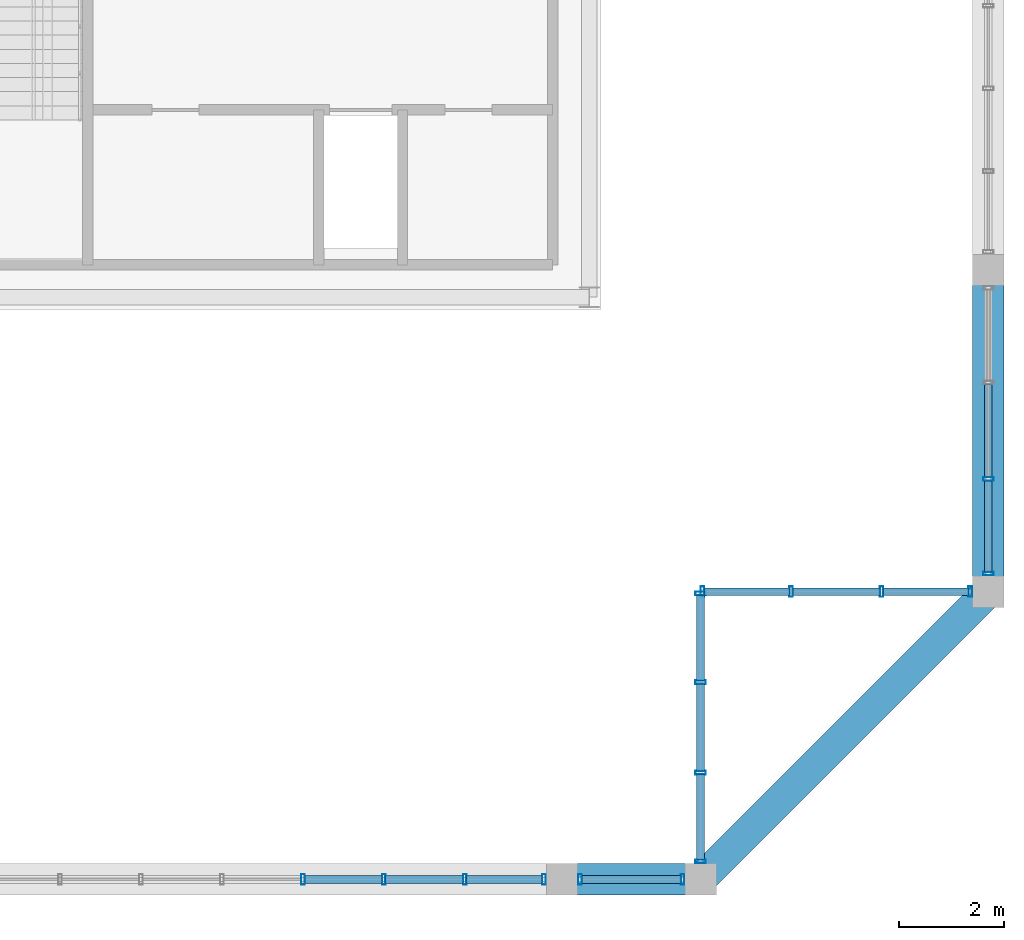
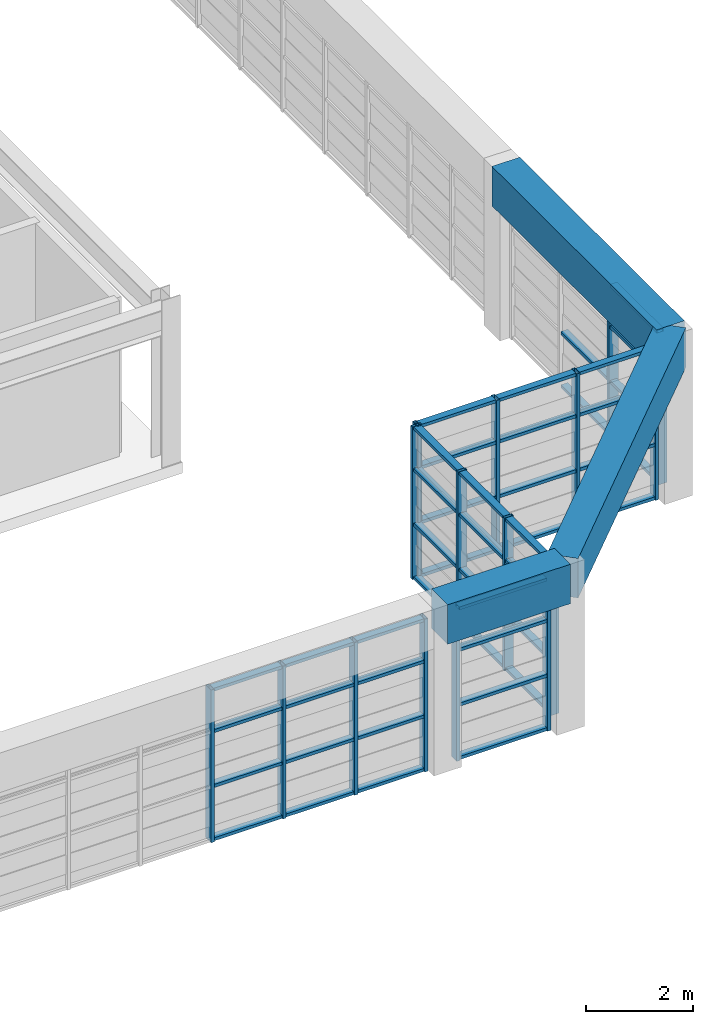
# One storey, part 6 of 27: 62 members, 3 beams, 5 elements without a shape of their own.
"""IFC4 building model written with IfcOpenShell, lengths in metres."""

from ifc_helpers import new_model, si_unit, direction, frame, origin, origin_2d, place, context, subcontext, project, spatial, rectangle, hollow_rectangle, extrude, source, transform, mapped, material, layer, layer_set, material_profile, profile_set, type_object, element, aggregate, save


model = new_model("IFC4")

# Units and contexts
model_context = context("Model", 3, precision=1e-05, world=origin(), true_north=direction((0.0, 1.0)))
body_context = subcontext(model_context, "Body", "Model", "MODEL_VIEW")
ifc_project = project(units=[si_unit("LENGTHUNIT", "METRE"), si_unit("AREAUNIT", "SQUARE_METRE"), si_unit("VOLUMEUNIT", "CUBIC_METRE"), si_unit("PLANEANGLEUNIT", "RADIAN"), si_unit("MASSUNIT", "GRAM", prefix="KILO")], contexts=[model_context])

# Site, building, storey
site_placement = place(None, origin())
site = spatial("IfcSite", under=ifc_project, at=site_placement, CompositionType="ELEMENT")
building_placement = place(site_placement, origin())
building = spatial("IfcBuilding", under=site, at=building_placement, Name="Saelheon Loggia Tower", CompositionType="ELEMENT")
storey_placement = place(building_placement, frame((0.0, 0.0, 256.0)))
storey = spatial("IfcBuildingStorey", under=building, at=storey_placement, Name="CR2", CompositionType="ELEMENT", Elevation=256.0)

# Beams
ifc_material_1 = material(Name="Precast Concrete C45/55", Category="concrete")
ifc_material_profile_1 = material_profile(ifc_material_1, rectangle(XDim=0.60009765625, YDim=0.89990234375, at=origin_2d()), Name="RC-600x900")
ifc_profile_set_1 = profile_set([ifc_material_profile_1], Name="Precast Concrete C45/55")
beam_type = type_object("IfcBeamType", Name="CrownFrame_Ring_RC600x900", PredefinedType="BEAM", material=ifc_profile_set_1)
shared_shape_1 = source(origin(), body_context, "Body", "SweptSolid", [
    extrude(rectangle(XDim=0.60009765625, YDim=0.89990234375, at=origin_2d()), origin(), (0.0, 0.0, 1.0), 2.64990234375),
])
beam_1_placement = place(storey_placement, frame((44.5, 6.35009765625, 3.35009765625), z_axis=(1.0, 0.0, 0.0), x_axis=(0.0, 1.0, 0.0)))
element("IfcBeam", 1, at=beam_1_placement, inside=storey, type_object=beam_type, Name="CR2 CROWN FRAME Ring Beam 03", PredefinedType="BEAM", context=body_context, shape_type="MappedRepresentation", body=[
    mapped(shared_shape_1, transform((0.0, 0.0, 0.0), scale=1.0)),
])
shared_shape_2 = source(origin(), body_context, "Body", "SweptSolid", [
    extrude(rectangle(XDim=0.60009765625, YDim=0.89990234375, at=origin_2d()), origin(), (0.0, 0.0, 1.0), 7.778076171875),
])
beam_2_placement = place(storey_placement, frame((47.14990234375, 6.35009765625, 3.35009765625), z_axis=(0.707106781187, 0.707106781187, 0.0), x_axis=(-0.707106781187, 0.707106781187, 0.0)))
element("IfcBeam", 2, at=beam_2_placement, inside=storey, type_object=beam_type, Name="CR2 CROWN FRAME Ring Beam 04", PredefinedType="BEAM", context=body_context, shape_type="MappedRepresentation", body=[
    mapped(shared_shape_2, transform((0.0, 0.0, 0.0), scale=1.0)),
])
shared_shape_3 = source(origin(), body_context, "Body", "SweptSolid", [
    extrude(rectangle(XDim=0.60009765625, YDim=0.89990234375, at=origin_2d()), origin(), (0.0, 0.0, 1.0), 6.14990234375),
])
beam_3_placement = place(storey_placement, frame((52.64990234375, 11.85009765625, 3.35009765625), z_axis=(0.0, 1.0, 0.0), x_axis=(-1.0, 0.0, 0.0)))
element("IfcBeam", 3, at=beam_3_placement, inside=storey, type_object=beam_type, Name="CR2 CROWN FRAME Ring Beam 05", PredefinedType="BEAM", context=body_context, shape_type="MappedRepresentation", body=[
    mapped(shared_shape_3, transform((0.0, 0.0, 0.0), scale=1.0)),
])

# Curtain wall, members
ifc_material_2 = material(Name="Bronze-Anodised Aluminium and Fritted Ceramic Screen", Category="aluminium")
ifc_layer = layer(ifc_material_2, 0.219970703125)
ifc_layer_set = layer_set([ifc_layer], Name="Bronze-Anodised Aluminium and Fritted Ceramic Screen")
curtain_wall_type = type_object("IfcCurtainWallType", Name="CW_CrownScreen", PredefinedType="NOTDEFINED", material=ifc_layer_set)
curtain_wall_1_placement = place(storey_placement, origin())
curtain_wall_1 = element("IfcCurtainWall", 4, at=curtain_wall_1_placement, inside=storey, type_object=curtain_wall_type, Name="CR2 Crown Screen Curtain Wall 0-2", PredefinedType="NOTDEFINED")
ifc_material_3 = material(Name="Bronze-Anodised Aluminium 6063-T6", Category="aluminium")
ifc_material_profile_2 = material_profile(ifc_material_3, hollow_rectangle(XDim=0.070068359375, YDim=0.199951171875, WallThickness=0.0048828125, at=origin_2d()), Name="RHS-200x70x5")
ifc_profile_set_2 = profile_set([ifc_material_profile_2], Name="Bronze-Anodised Aluminium 6063-T6")
member_type_1 = type_object("IfcMemberType", Name="CW_CrownScreen_Mullion", PredefinedType="MULLION", material=ifc_profile_set_2)
shared_shape_4 = source(origin(), body_context, "Body", "SweptSolid", [
    extrude(hollow_rectangle(XDim=0.070068359375, YDim=0.199951171875, WallThickness=0.0048828125, at=origin_2d()), origin(), (0.0, 0.0, 1.0), 3.47998046875),
])
member_1_placement = place(storey_placement, frame((39.547607421875, 6.35009765625, 0.0), z_axis=(0.0, 0.0, 1.0), x_axis=(1.0, 0.0, 0.0)))
member_1 = element("IfcMember", 5, at=member_1_placement, type_object=member_type_1, Name="CW6 mullion 6", PredefinedType="MULLION", context=body_context, shape_type="MappedRepresentation", body=[
    mapped(shared_shape_4, transform((0.0, 0.0, 0.0), scale=1.0)),
])
member_2_placement = place(storey_placement, frame((41.094970703125, 6.35009765625, 0.0), z_axis=(0.0, 0.0, 1.0), x_axis=(1.0, 0.0, 0.0)))
member_2 = element("IfcMember", 6, at=member_2_placement, type_object=member_type_1, Name="CW6 mullion 7", PredefinedType="MULLION", context=body_context, shape_type="MappedRepresentation", body=[
    mapped(shared_shape_4, transform((0.0, 0.0, 0.0), scale=1.0)),
])
member_3_placement = place(storey_placement, frame((42.642578125, 6.35009765625, 0.0), z_axis=(0.0, 0.0, 1.0), x_axis=(1.0, 0.0, 0.0)))
member_3 = element("IfcMember", 7, at=member_3_placement, type_object=member_type_1, Name="CW6 mullion 8", PredefinedType="MULLION", context=body_context, shape_type="MappedRepresentation", body=[
    mapped(shared_shape_4, transform((0.0, 0.0, 0.0), scale=1.0)),
])
member_4_placement = place(storey_placement, frame((44.155029296875, 6.35009765625, 0.0), z_axis=(0.0, 0.0, 1.0), x_axis=(1.0, 0.0, 0.0)))
member_4 = element("IfcMember", 8, at=member_4_placement, type_object=member_type_1, Name="CW6 mullion 9", PredefinedType="MULLION", context=body_context, shape_type="MappedRepresentation", body=[
    mapped(shared_shape_4, transform((0.0, 0.0, 0.0), scale=1.0)),
])

curtain_wall_2_placement = place(storey_placement, origin())
curtain_wall_2 = element("IfcCurtainWall", 9, at=curtain_wall_2_placement, inside=storey, type_object=curtain_wall_type, Name="CR2 Crown Screen Curtain Wall 0-3", PredefinedType="NOTDEFINED")
member_5_placement = place(storey_placement, frame((44.844970703125, 6.35009765625, 0.0), z_axis=(0.0, 0.0, 1.0), x_axis=(1.0, 0.0, 0.0)))
member_5 = element("IfcMember", 10, at=member_5_placement, type_object=member_type_1, Name="CW6 mullion 1", PredefinedType="MULLION", context=body_context, shape_type="MappedRepresentation", body=[
    mapped(shared_shape_4, transform((0.0, 0.0, 0.0), scale=1.0)),
])
member_6_placement = place(storey_placement, frame((46.804931640625, 6.35009765625, 0.0), z_axis=(0.0, 0.0, 1.0), x_axis=(1.0, 0.0, 0.0)))
member_6 = element("IfcMember", 11, at=member_6_placement, type_object=member_type_1, Name="CW6 mullion 2", PredefinedType="MULLION", context=body_context, shape_type="MappedRepresentation", body=[
    mapped(shared_shape_4, transform((0.0, 0.0, 0.0), scale=1.0)),
])

curtain_wall_3_placement = place(storey_placement, origin())
curtain_wall_3 = element("IfcCurtainWall", 12, at=curtain_wall_3_placement, inside=storey, type_object=curtain_wall_type, Name="CR2 Crown Screen Curtain Wall 1-1", PredefinedType="NOTDEFINED")
member_7_placement = place(storey_placement, frame((47.14990234375, 6.695068359375, 0.0), z_axis=(0.0, 0.0, 1.0), x_axis=(0.0, 1.0, 0.0)))
member_7 = element("IfcMember", 13, at=member_7_placement, type_object=member_type_1, Name="CW6 mullion 1", PredefinedType="MULLION", context=body_context, shape_type="MappedRepresentation", body=[
    mapped(shared_shape_4, transform((0.0, 0.0, 0.0), scale=1.0)),
])
member_8_placement = place(storey_placement, frame((47.14990234375, 8.389892578125, 0.0), z_axis=(0.0, 0.0, 1.0), x_axis=(0.0, 1.0, 0.0)))
member_8 = element("IfcMember", 14, at=member_8_placement, type_object=member_type_1, Name="CW6 mullion 2", PredefinedType="MULLION", context=body_context, shape_type="MappedRepresentation", body=[
    mapped(shared_shape_4, transform((0.0, 0.0, 0.0), scale=1.0)),
])
member_9_placement = place(storey_placement, frame((47.14990234375, 10.1201171875, 0.0), z_axis=(0.0, 0.0, 1.0), x_axis=(0.0, 1.0, 0.0)))
member_9 = element("IfcMember", 15, at=member_9_placement, type_object=member_type_1, Name="CW6 mullion 3", PredefinedType="MULLION", context=body_context, shape_type="MappedRepresentation", body=[
    mapped(shared_shape_4, transform((0.0, 0.0, 0.0), scale=1.0)),
])
member_10_placement = place(storey_placement, frame((47.14990234375, 11.81494140625, 0.0), z_axis=(0.0, 0.0, 1.0), x_axis=(0.0, 1.0, 0.0)))
member_10 = element("IfcMember", 16, at=member_10_placement, type_object=member_type_1, Name="CW6 mullion 4", PredefinedType="MULLION", context=body_context, shape_type="MappedRepresentation", body=[
    mapped(shared_shape_4, transform((0.0, 0.0, 0.0), scale=1.0)),
])

curtain_wall_4_placement = place(storey_placement, origin())
curtain_wall_4 = element("IfcCurtainWall", 17, at=curtain_wall_4_placement, inside=storey, type_object=curtain_wall_type, Name="CR2 Crown Screen Curtain Wall 2-1", PredefinedType="NOTDEFINED")
member_11_placement = place(storey_placement, frame((47.18505859375, 11.85009765625, 0.0), z_axis=(0.0, 0.0, 1.0), x_axis=(1.0, 0.0, 0.0)))
member_11 = element("IfcMember", 18, at=member_11_placement, type_object=member_type_1, Name="CW6 mullion 1", PredefinedType="MULLION", context=body_context, shape_type="MappedRepresentation", body=[
    mapped(shared_shape_4, transform((0.0, 0.0, 0.0), scale=1.0)),
])
member_12_placement = place(storey_placement, frame((48.8798828125, 11.85009765625, 0.0), z_axis=(0.0, 0.0, 1.0), x_axis=(1.0, 0.0, 0.0)))
member_12 = element("IfcMember", 19, at=member_12_placement, type_object=member_type_1, Name="CW6 mullion 2", PredefinedType="MULLION", context=body_context, shape_type="MappedRepresentation", body=[
    mapped(shared_shape_4, transform((0.0, 0.0, 0.0), scale=1.0)),
])
member_13_placement = place(storey_placement, frame((50.610107421875, 11.85009765625, 0.0), z_axis=(0.0, 0.0, 1.0), x_axis=(1.0, 0.0, 0.0)))
member_13 = element("IfcMember", 20, at=member_13_placement, type_object=member_type_1, Name="CW6 mullion 3", PredefinedType="MULLION", context=body_context, shape_type="MappedRepresentation", body=[
    mapped(shared_shape_4, transform((0.0, 0.0, 0.0), scale=1.0)),
])
member_14_placement = place(storey_placement, frame((52.304931640625, 11.85009765625, 0.0), z_axis=(0.0, 0.0, 1.0), x_axis=(1.0, 0.0, 0.0)))
member_14 = element("IfcMember", 21, at=member_14_placement, type_object=member_type_1, Name="CW6 mullion 4", PredefinedType="MULLION", context=body_context, shape_type="MappedRepresentation", body=[
    mapped(shared_shape_4, transform((0.0, 0.0, 0.0), scale=1.0)),
])

curtain_wall_5_placement = place(storey_placement, origin())
curtain_wall_5 = element("IfcCurtainWall", 22, at=curtain_wall_5_placement, inside=storey, type_object=curtain_wall_type, Name="CR2 Crown Screen Curtain Wall 3-1", PredefinedType="NOTDEFINED")
member_15_placement = place(storey_placement, frame((52.64990234375, 12.195068359375, 0.0), z_axis=(0.0, 0.0, 1.0), x_axis=(0.0, 1.0, 0.0)))
member_15 = element("IfcMember", 23, at=member_15_placement, type_object=member_type_1, Name="CW6 mullion 1", PredefinedType="MULLION", context=body_context, shape_type="MappedRepresentation", body=[
    mapped(shared_shape_4, transform((0.0, 0.0, 0.0), scale=1.0)),
])
member_16_placement = place(storey_placement, frame((52.64990234375, 14.00341796875, 0.0), z_axis=(0.0, 0.0, 1.0), x_axis=(0.0, 1.0, 0.0)))
member_16 = element("IfcMember", 24, at=member_16_placement, type_object=member_type_1, Name="CW6 mullion 2", PredefinedType="MULLION", context=body_context, shape_type="MappedRepresentation", body=[
    mapped(shared_shape_4, transform((0.0, 0.0, 0.0), scale=1.0)),
])

# Member
ifc_material_profile_3 = material_profile(ifc_material_3, hollow_rectangle(XDim=0.070068359375, YDim=0.14990234375, WallThickness=0.0048828125, at=origin_2d()), Name="RHS-150x70x5")
ifc_profile_set_3 = profile_set([ifc_material_profile_3], Name="Bronze-Anodised Aluminium 6063-T6")
member_type_2 = type_object("IfcMemberType", Name="CW_CrownScreen_Transom", PredefinedType="USERDEFINED", material=ifc_profile_set_3)
shared_shape_5 = source(origin(), body_context, "Body", "SweptSolid", [
    extrude(hollow_rectangle(XDim=0.070068359375, YDim=0.14990234375, WallThickness=0.0048828125, at=origin_2d()), origin(), (0.0, 0.0, 1.0), 1.89013671875),
])
member_17_placement = place(storey_placement, frame((44.8798828125, 6.35009765625, 0.034912109375), z_axis=(1.0, 0.0, 0.0), x_axis=(0.0, 0.0, 1.0)))
member_17 = element("IfcMember", 25, at=member_17_placement, type_object=member_type_2, Name="CW6 transom 1.1", ObjectType="TRANSOM", PredefinedType="USERDEFINED", context=body_context, shape_type="MappedRepresentation", body=[
    mapped(shared_shape_5, transform((0.0, 0.0, 0.0), scale=1.0)),
])

member_18_placement = place(storey_placement, frame((44.8798828125, 6.35009765625, 1.25), z_axis=(1.0, 0.0, 0.0), x_axis=(0.0, 0.0, 1.0)))
member_18 = element("IfcMember", 26, at=member_18_placement, type_object=member_type_2, Name="CW6 transom 1.2", ObjectType="TRANSOM", PredefinedType="USERDEFINED", context=body_context, shape_type="MappedRepresentation", body=[
    mapped(shared_shape_5, transform((0.0, 0.0, 0.0), scale=1.0)),
])

member_19_placement = place(storey_placement, frame((44.8798828125, 6.35009765625, 2.5), z_axis=(1.0, 0.0, 0.0), x_axis=(0.0, 0.0, 1.0)))
member_19 = element("IfcMember", 27, at=member_19_placement, type_object=member_type_2, Name="CW6 transom 1.3", ObjectType="TRANSOM", PredefinedType="USERDEFINED", context=body_context, shape_type="MappedRepresentation", body=[
    mapped(shared_shape_5, transform((0.0, 0.0, 0.0), scale=1.0)),
])

member_20_placement = place(storey_placement, frame((44.8798828125, 6.35009765625, 3.445068359375), z_axis=(1.0, 0.0, 0.0), x_axis=(0.0, 0.0, 1.0)))
member_20 = element("IfcMember", 28, at=member_20_placement, type_object=member_type_2, Name="CW6 transom 1.4", ObjectType="TRANSOM", PredefinedType="USERDEFINED", context=body_context, shape_type="MappedRepresentation", body=[
    mapped(shared_shape_5, transform((0.0, 0.0, 0.0), scale=1.0)),
])

aggregate(curtain_wall_2, [member_5, member_6, member_17, member_18, member_19, member_20])

shared_shape_6 = source(origin(), body_context, "Body", "SweptSolid", [
    extrude(hollow_rectangle(XDim=0.070068359375, YDim=0.14990234375, WallThickness=0.0048828125, at=origin_2d()), origin(), (0.0, 0.0, 1.0), 1.442626953125),
])
member_21_placement = place(storey_placement, frame((42.677490234375, 6.35009765625, 0.034912109375), z_axis=(1.0, 0.0, 0.0), x_axis=(0.0, 0.0, 1.0)))
member_21 = element("IfcMember", 29, at=member_21_placement, type_object=member_type_2, Name="CW6 transom 8.1", ObjectType="TRANSOM", PredefinedType="USERDEFINED", context=body_context, shape_type="MappedRepresentation", body=[
    mapped(shared_shape_6, transform((0.0, 0.0, 0.0), scale=1.0)),
])

member_22_placement = place(storey_placement, frame((42.677490234375, 6.35009765625, 1.25), z_axis=(1.0, 0.0, 0.0), x_axis=(0.0, 0.0, 1.0)))
member_22 = element("IfcMember", 30, at=member_22_placement, type_object=member_type_2, Name="CW6 transom 8.2", ObjectType="TRANSOM", PredefinedType="USERDEFINED", context=body_context, shape_type="MappedRepresentation", body=[
    mapped(shared_shape_6, transform((0.0, 0.0, 0.0), scale=1.0)),
])

member_23_placement = place(storey_placement, frame((42.677490234375, 6.35009765625, 2.5), z_axis=(1.0, 0.0, 0.0), x_axis=(0.0, 0.0, 1.0)))
member_23 = element("IfcMember", 31, at=member_23_placement, type_object=member_type_2, Name="CW6 transom 8.3", ObjectType="TRANSOM", PredefinedType="USERDEFINED", context=body_context, shape_type="MappedRepresentation", body=[
    mapped(shared_shape_6, transform((0.0, 0.0, 0.0), scale=1.0)),
])

member_24_placement = place(storey_placement, frame((42.677490234375, 6.35009765625, 3.445068359375), z_axis=(1.0, 0.0, 0.0), x_axis=(0.0, 0.0, 1.0)))
member_24 = element("IfcMember", 32, at=member_24_placement, type_object=member_type_2, Name="CW6 transom 8.4", ObjectType="TRANSOM", PredefinedType="USERDEFINED", context=body_context, shape_type="MappedRepresentation", body=[
    mapped(shared_shape_6, transform((0.0, 0.0, 0.0), scale=1.0)),
])

shared_shape_7 = source(origin(), body_context, "Body", "SweptSolid", [
    extrude(hollow_rectangle(XDim=0.070068359375, YDim=0.14990234375, WallThickness=0.0048828125, at=origin_2d()), origin(), (0.0, 0.0, 1.0), 1.4775390625),
])
member_25_placement = place(storey_placement, frame((39.58251953125, 6.35009765625, 0.034912109375), z_axis=(1.0, 0.0, 0.0), x_axis=(0.0, 0.0, 1.0)))
member_25 = element("IfcMember", 33, at=member_25_placement, type_object=member_type_2, Name="CW6 transom 6.1", ObjectType="TRANSOM", PredefinedType="USERDEFINED", context=body_context, shape_type="MappedRepresentation", body=[
    mapped(shared_shape_7, transform((0.0, 0.0, 0.0), scale=1.0)),
])

member_26_placement = place(storey_placement, frame((39.58251953125, 6.35009765625, 1.25), z_axis=(1.0, 0.0, 0.0), x_axis=(0.0, 0.0, 1.0)))
member_26 = element("IfcMember", 34, at=member_26_placement, type_object=member_type_2, Name="CW6 transom 6.2", ObjectType="TRANSOM", PredefinedType="USERDEFINED", context=body_context, shape_type="MappedRepresentation", body=[
    mapped(shared_shape_7, transform((0.0, 0.0, 0.0), scale=1.0)),
])

member_27_placement = place(storey_placement, frame((39.58251953125, 6.35009765625, 2.5), z_axis=(1.0, 0.0, 0.0), x_axis=(0.0, 0.0, 1.0)))
member_27 = element("IfcMember", 35, at=member_27_placement, type_object=member_type_2, Name="CW6 transom 6.3", ObjectType="TRANSOM", PredefinedType="USERDEFINED", context=body_context, shape_type="MappedRepresentation", body=[
    mapped(shared_shape_7, transform((0.0, 0.0, 0.0), scale=1.0)),
])

member_28_placement = place(storey_placement, frame((39.58251953125, 6.35009765625, 3.445068359375), z_axis=(1.0, 0.0, 0.0), x_axis=(0.0, 0.0, 1.0)))
member_28 = element("IfcMember", 36, at=member_28_placement, type_object=member_type_2, Name="CW6 transom 6.4", ObjectType="TRANSOM", PredefinedType="USERDEFINED", context=body_context, shape_type="MappedRepresentation", body=[
    mapped(shared_shape_7, transform((0.0, 0.0, 0.0), scale=1.0)),
])

member_29_placement = place(storey_placement, frame((41.1298828125, 6.35009765625, 0.034912109375), z_axis=(1.0, 0.0, 0.0), x_axis=(0.0, 0.0, 1.0)))
member_29 = element("IfcMember", 37, at=member_29_placement, type_object=member_type_2, Name="CW6 transom 7.1", ObjectType="TRANSOM", PredefinedType="USERDEFINED", context=body_context, shape_type="MappedRepresentation", body=[
    mapped(shared_shape_7, transform((0.0, 0.0, 0.0), scale=1.0)),
])

member_30_placement = place(storey_placement, frame((41.1298828125, 6.35009765625, 1.25), z_axis=(1.0, 0.0, 0.0), x_axis=(0.0, 0.0, 1.0)))
member_30 = element("IfcMember", 38, at=member_30_placement, type_object=member_type_2, Name="CW6 transom 7.2", ObjectType="TRANSOM", PredefinedType="USERDEFINED", context=body_context, shape_type="MappedRepresentation", body=[
    mapped(shared_shape_7, transform((0.0, 0.0, 0.0), scale=1.0)),
])

member_31_placement = place(storey_placement, frame((41.1298828125, 6.35009765625, 2.5), z_axis=(1.0, 0.0, 0.0), x_axis=(0.0, 0.0, 1.0)))
member_31 = element("IfcMember", 39, at=member_31_placement, type_object=member_type_2, Name="CW6 transom 7.3", ObjectType="TRANSOM", PredefinedType="USERDEFINED", context=body_context, shape_type="MappedRepresentation", body=[
    mapped(shared_shape_7, transform((0.0, 0.0, 0.0), scale=1.0)),
])

member_32_placement = place(storey_placement, frame((41.1298828125, 6.35009765625, 3.445068359375), z_axis=(1.0, 0.0, 0.0), x_axis=(0.0, 0.0, 1.0)))
member_32 = element("IfcMember", 40, at=member_32_placement, type_object=member_type_2, Name="CW6 transom 7.4", ObjectType="TRANSOM", PredefinedType="USERDEFINED", context=body_context, shape_type="MappedRepresentation", body=[
    mapped(shared_shape_7, transform((0.0, 0.0, 0.0), scale=1.0)),
])

aggregate(curtain_wall_1, [member_1, member_2, member_3, member_4, member_25, member_26, member_27, member_28, member_29, member_30, member_31, member_32, member_21, member_22, member_23, member_24])

shared_shape_8 = source(origin(), body_context, "Body", "SweptSolid", [
    extrude(hollow_rectangle(XDim=0.070068359375, YDim=0.14990234375, WallThickness=0.0048828125, at=origin_2d()), origin(), (0.0, 0.0, 1.0), 1.625),
])
member_33_placement = place(storey_placement, frame((47.14990234375, 6.72998046875, 0.034912109375), z_axis=(0.0, 1.0, 0.0), x_axis=(0.0, 0.0, 1.0)))
member_33 = element("IfcMember", 41, at=member_33_placement, type_object=member_type_2, Name="CW6 transom 1.1", ObjectType="TRANSOM", PredefinedType="USERDEFINED", context=body_context, shape_type="MappedRepresentation", body=[
    mapped(shared_shape_8, transform((0.0, 0.0, 0.0), scale=1.0)),
])

member_34_placement = place(storey_placement, frame((47.14990234375, 6.72998046875, 1.25), z_axis=(0.0, 1.0, 0.0), x_axis=(0.0, 0.0, 1.0)))
member_34 = element("IfcMember", 42, at=member_34_placement, type_object=member_type_2, Name="CW6 transom 1.2", ObjectType="TRANSOM", PredefinedType="USERDEFINED", context=body_context, shape_type="MappedRepresentation", body=[
    mapped(shared_shape_8, transform((0.0, 0.0, 0.0), scale=1.0)),
])

member_35_placement = place(storey_placement, frame((47.14990234375, 6.72998046875, 2.5), z_axis=(0.0, 1.0, 0.0), x_axis=(0.0, 0.0, 1.0)))
member_35 = element("IfcMember", 43, at=member_35_placement, type_object=member_type_2, Name="CW6 transom 1.3", ObjectType="TRANSOM", PredefinedType="USERDEFINED", context=body_context, shape_type="MappedRepresentation", body=[
    mapped(shared_shape_8, transform((0.0, 0.0, 0.0), scale=1.0)),
])

member_36_placement = place(storey_placement, frame((47.14990234375, 6.72998046875, 3.445068359375), z_axis=(0.0, 1.0, 0.0), x_axis=(0.0, 0.0, 1.0)))
member_36 = element("IfcMember", 44, at=member_36_placement, type_object=member_type_2, Name="CW6 transom 1.4", ObjectType="TRANSOM", PredefinedType="USERDEFINED", context=body_context, shape_type="MappedRepresentation", body=[
    mapped(shared_shape_8, transform((0.0, 0.0, 0.0), scale=1.0)),
])

member_37_placement = place(storey_placement, frame((47.14990234375, 10.155029296875, 0.034912109375), z_axis=(0.0, 1.0, 0.0), x_axis=(0.0, 0.0, 1.0)))
member_37 = element("IfcMember", 45, at=member_37_placement, type_object=member_type_2, Name="CW6 transom 3.1", ObjectType="TRANSOM", PredefinedType="USERDEFINED", context=body_context, shape_type="MappedRepresentation", body=[
    mapped(shared_shape_8, transform((0.0, 0.0, 0.0), scale=1.0)),
])

member_38_placement = place(storey_placement, frame((47.14990234375, 10.155029296875, 1.25), z_axis=(0.0, 1.0, 0.0), x_axis=(0.0, 0.0, 1.0)))
member_38 = element("IfcMember", 46, at=member_38_placement, type_object=member_type_2, Name="CW6 transom 3.2", ObjectType="TRANSOM", PredefinedType="USERDEFINED", context=body_context, shape_type="MappedRepresentation", body=[
    mapped(shared_shape_8, transform((0.0, 0.0, 0.0), scale=1.0)),
])

member_39_placement = place(storey_placement, frame((47.14990234375, 10.155029296875, 2.5), z_axis=(0.0, 1.0, 0.0), x_axis=(0.0, 0.0, 1.0)))
member_39 = element("IfcMember", 47, at=member_39_placement, type_object=member_type_2, Name="CW6 transom 3.3", ObjectType="TRANSOM", PredefinedType="USERDEFINED", context=body_context, shape_type="MappedRepresentation", body=[
    mapped(shared_shape_8, transform((0.0, 0.0, 0.0), scale=1.0)),
])

member_40_placement = place(storey_placement, frame((47.14990234375, 10.155029296875, 3.445068359375), z_axis=(0.0, 1.0, 0.0), x_axis=(0.0, 0.0, 1.0)))
member_40 = element("IfcMember", 48, at=member_40_placement, type_object=member_type_2, Name="CW6 transom 3.4", ObjectType="TRANSOM", PredefinedType="USERDEFINED", context=body_context, shape_type="MappedRepresentation", body=[
    mapped(shared_shape_8, transform((0.0, 0.0, 0.0), scale=1.0)),
])

member_41_placement = place(storey_placement, frame((47.219970703125, 11.85009765625, 0.034912109375), z_axis=(1.0, 0.0, 0.0), x_axis=(0.0, 0.0, 1.0)))
member_41 = element("IfcMember", 49, at=member_41_placement, type_object=member_type_2, Name="CW6 transom 1.1", ObjectType="TRANSOM", PredefinedType="USERDEFINED", context=body_context, shape_type="MappedRepresentation", body=[
    mapped(shared_shape_8, transform((0.0, 0.0, 0.0), scale=1.0)),
])

member_42_placement = place(storey_placement, frame((47.219970703125, 11.85009765625, 1.25), z_axis=(1.0, 0.0, 0.0), x_axis=(0.0, 0.0, 1.0)))
member_42 = element("IfcMember", 50, at=member_42_placement, type_object=member_type_2, Name="CW6 transom 1.2", ObjectType="TRANSOM", PredefinedType="USERDEFINED", context=body_context, shape_type="MappedRepresentation", body=[
    mapped(shared_shape_8, transform((0.0, 0.0, 0.0), scale=1.0)),
])

member_43_placement = place(storey_placement, frame((47.219970703125, 11.85009765625, 2.5), z_axis=(1.0, 0.0, 0.0), x_axis=(0.0, 0.0, 1.0)))
member_43 = element("IfcMember", 51, at=member_43_placement, type_object=member_type_2, Name="CW6 transom 1.3", ObjectType="TRANSOM", PredefinedType="USERDEFINED", context=body_context, shape_type="MappedRepresentation", body=[
    mapped(shared_shape_8, transform((0.0, 0.0, 0.0), scale=1.0)),
])

member_44_placement = place(storey_placement, frame((47.219970703125, 11.85009765625, 3.445068359375), z_axis=(1.0, 0.0, 0.0), x_axis=(0.0, 0.0, 1.0)))
member_44 = element("IfcMember", 52, at=member_44_placement, type_object=member_type_2, Name="CW6 transom 1.4", ObjectType="TRANSOM", PredefinedType="USERDEFINED", context=body_context, shape_type="MappedRepresentation", body=[
    mapped(shared_shape_8, transform((0.0, 0.0, 0.0), scale=1.0)),
])

member_45_placement = place(storey_placement, frame((50.64501953125, 11.85009765625, 0.034912109375), z_axis=(1.0, 0.0, 0.0), x_axis=(0.0, 0.0, 1.0)))
member_45 = element("IfcMember", 53, at=member_45_placement, type_object=member_type_2, Name="CW6 transom 3.1", ObjectType="TRANSOM", PredefinedType="USERDEFINED", context=body_context, shape_type="MappedRepresentation", body=[
    mapped(shared_shape_8, transform((0.0, 0.0, 0.0), scale=1.0)),
])

member_46_placement = place(storey_placement, frame((50.64501953125, 11.85009765625, 1.25), z_axis=(1.0, 0.0, 0.0), x_axis=(0.0, 0.0, 1.0)))
member_46 = element("IfcMember", 54, at=member_46_placement, type_object=member_type_2, Name="CW6 transom 3.2", ObjectType="TRANSOM", PredefinedType="USERDEFINED", context=body_context, shape_type="MappedRepresentation", body=[
    mapped(shared_shape_8, transform((0.0, 0.0, 0.0), scale=1.0)),
])

member_47_placement = place(storey_placement, frame((50.64501953125, 11.85009765625, 2.5), z_axis=(1.0, 0.0, 0.0), x_axis=(0.0, 0.0, 1.0)))
member_47 = element("IfcMember", 55, at=member_47_placement, type_object=member_type_2, Name="CW6 transom 3.3", ObjectType="TRANSOM", PredefinedType="USERDEFINED", context=body_context, shape_type="MappedRepresentation", body=[
    mapped(shared_shape_8, transform((0.0, 0.0, 0.0), scale=1.0)),
])

member_48_placement = place(storey_placement, frame((50.64501953125, 11.85009765625, 3.445068359375), z_axis=(1.0, 0.0, 0.0), x_axis=(0.0, 0.0, 1.0)))
member_48 = element("IfcMember", 56, at=member_48_placement, type_object=member_type_2, Name="CW6 transom 3.4", ObjectType="TRANSOM", PredefinedType="USERDEFINED", context=body_context, shape_type="MappedRepresentation", body=[
    mapped(shared_shape_8, transform((0.0, 0.0, 0.0), scale=1.0)),
])

shared_shape_9 = source(origin(), body_context, "Body", "SweptSolid", [
    extrude(hollow_rectangle(XDim=0.070068359375, YDim=0.14990234375, WallThickness=0.0048828125, at=origin_2d()), origin(), (0.0, 0.0, 1.0), 1.659912109375),
])
member_49_placement = place(storey_placement, frame((47.14990234375, 8.425048828125, 0.034912109375), z_axis=(0.0, 1.0, 0.0), x_axis=(0.0, 0.0, 1.0)))
member_49 = element("IfcMember", 57, at=member_49_placement, type_object=member_type_2, Name="CW6 transom 2.1", ObjectType="TRANSOM", PredefinedType="USERDEFINED", context=body_context, shape_type="MappedRepresentation", body=[
    mapped(shared_shape_9, transform((0.0, 0.0, 0.0), scale=1.0)),
])

member_50_placement = place(storey_placement, frame((47.14990234375, 8.425048828125, 1.25), z_axis=(0.0, 1.0, 0.0), x_axis=(0.0, 0.0, 1.0)))
member_50 = element("IfcMember", 58, at=member_50_placement, type_object=member_type_2, Name="CW6 transom 2.2", ObjectType="TRANSOM", PredefinedType="USERDEFINED", context=body_context, shape_type="MappedRepresentation", body=[
    mapped(shared_shape_9, transform((0.0, 0.0, 0.0), scale=1.0)),
])

member_51_placement = place(storey_placement, frame((47.14990234375, 8.425048828125, 2.5), z_axis=(0.0, 1.0, 0.0), x_axis=(0.0, 0.0, 1.0)))
member_51 = element("IfcMember", 59, at=member_51_placement, type_object=member_type_2, Name="CW6 transom 2.3", ObjectType="TRANSOM", PredefinedType="USERDEFINED", context=body_context, shape_type="MappedRepresentation", body=[
    mapped(shared_shape_9, transform((0.0, 0.0, 0.0), scale=1.0)),
])

member_52_placement = place(storey_placement, frame((47.14990234375, 8.425048828125, 3.445068359375), z_axis=(0.0, 1.0, 0.0), x_axis=(0.0, 0.0, 1.0)))
member_52 = element("IfcMember", 60, at=member_52_placement, type_object=member_type_2, Name="CW6 transom 2.4", ObjectType="TRANSOM", PredefinedType="USERDEFINED", context=body_context, shape_type="MappedRepresentation", body=[
    mapped(shared_shape_9, transform((0.0, 0.0, 0.0), scale=1.0)),
])

aggregate(curtain_wall_3, [member_7, member_8, member_9, member_10, member_33, member_34, member_35, member_36, member_49, member_50, member_51, member_52, member_37, member_38, member_39, member_40])

member_53_placement = place(storey_placement, frame((48.9150390625, 11.85009765625, 0.034912109375), z_axis=(1.0, 0.0, 0.0), x_axis=(0.0, 0.0, 1.0)))
member_53 = element("IfcMember", 61, at=member_53_placement, type_object=member_type_2, Name="CW6 transom 2.1", ObjectType="TRANSOM", PredefinedType="USERDEFINED", context=body_context, shape_type="MappedRepresentation", body=[
    mapped(shared_shape_9, transform((0.0, 0.0, 0.0), scale=1.0)),
])

member_54_placement = place(storey_placement, frame((48.9150390625, 11.85009765625, 1.25), z_axis=(1.0, 0.0, 0.0), x_axis=(0.0, 0.0, 1.0)))
member_54 = element("IfcMember", 62, at=member_54_placement, type_object=member_type_2, Name="CW6 transom 2.2", ObjectType="TRANSOM", PredefinedType="USERDEFINED", context=body_context, shape_type="MappedRepresentation", body=[
    mapped(shared_shape_9, transform((0.0, 0.0, 0.0), scale=1.0)),
])

member_55_placement = place(storey_placement, frame((48.9150390625, 11.85009765625, 2.5), z_axis=(1.0, 0.0, 0.0), x_axis=(0.0, 0.0, 1.0)))
member_55 = element("IfcMember", 63, at=member_55_placement, type_object=member_type_2, Name="CW6 transom 2.3", ObjectType="TRANSOM", PredefinedType="USERDEFINED", context=body_context, shape_type="MappedRepresentation", body=[
    mapped(shared_shape_9, transform((0.0, 0.0, 0.0), scale=1.0)),
])

member_56_placement = place(storey_placement, frame((48.9150390625, 11.85009765625, 3.445068359375), z_axis=(1.0, 0.0, 0.0), x_axis=(0.0, 0.0, 1.0)))
member_56 = element("IfcMember", 64, at=member_56_placement, type_object=member_type_2, Name="CW6 transom 2.4", ObjectType="TRANSOM", PredefinedType="USERDEFINED", context=body_context, shape_type="MappedRepresentation", body=[
    mapped(shared_shape_9, transform((0.0, 0.0, 0.0), scale=1.0)),
])

aggregate(curtain_wall_4, [member_11, member_12, member_13, member_14, member_41, member_42, member_43, member_44, member_53, member_54, member_55, member_56, member_45, member_46, member_47, member_48])

shared_shape_10 = source(origin(), body_context, "Body", "SweptSolid", [
    extrude(hollow_rectangle(XDim=0.070068359375, YDim=0.14990234375, WallThickness=0.0048828125, at=origin_2d()), origin(), (0.0, 0.0, 1.0), 1.73828125),
])
member_57_placement = place(storey_placement, frame((52.64990234375, 12.22998046875, 0.034912109375), z_axis=(0.0, 1.0, 0.0), x_axis=(0.0, 0.0, 1.0)))
member_57 = element("IfcMember", 65, at=member_57_placement, type_object=member_type_2, Name="CW6 transom 1.1", ObjectType="TRANSOM", PredefinedType="USERDEFINED", context=body_context, shape_type="MappedRepresentation", body=[
    mapped(shared_shape_10, transform((0.0, 0.0, 0.0), scale=1.0)),
])

member_58_placement = place(storey_placement, frame((52.64990234375, 12.22998046875, 1.25), z_axis=(0.0, 1.0, 0.0), x_axis=(0.0, 0.0, 1.0)))
member_58 = element("IfcMember", 66, at=member_58_placement, type_object=member_type_2, Name="CW6 transom 1.2", ObjectType="TRANSOM", PredefinedType="USERDEFINED", context=body_context, shape_type="MappedRepresentation", body=[
    mapped(shared_shape_10, transform((0.0, 0.0, 0.0), scale=1.0)),
])

member_59_placement = place(storey_placement, frame((52.64990234375, 12.22998046875, 2.5), z_axis=(0.0, 1.0, 0.0), x_axis=(0.0, 0.0, 1.0)))
member_59 = element("IfcMember", 67, at=member_59_placement, type_object=member_type_2, Name="CW6 transom 1.3", ObjectType="TRANSOM", PredefinedType="USERDEFINED", context=body_context, shape_type="MappedRepresentation", body=[
    mapped(shared_shape_10, transform((0.0, 0.0, 0.0), scale=1.0)),
])

member_60_placement = place(storey_placement, frame((52.64990234375, 12.22998046875, 3.445068359375), z_axis=(0.0, 1.0, 0.0), x_axis=(0.0, 0.0, 1.0)))
member_60 = element("IfcMember", 68, at=member_60_placement, type_object=member_type_2, Name="CW6 transom 1.4", ObjectType="TRANSOM", PredefinedType="USERDEFINED", context=body_context, shape_type="MappedRepresentation", body=[
    mapped(shared_shape_10, transform((0.0, 0.0, 0.0), scale=1.0)),
])

shared_shape_11 = source(origin(), body_context, "Body", "SweptSolid", [
    extrude(hollow_rectangle(XDim=0.070068359375, YDim=0.14990234375, WallThickness=0.0048828125, at=origin_2d()), origin(), (0.0, 0.0, 1.0), 1.7734375),
])
member_61_placement = place(storey_placement, frame((52.64990234375, 14.038330078125, 0.034912109375), z_axis=(0.0, 1.0, 0.0), x_axis=(0.0, 0.0, 1.0)))
member_61 = element("IfcMember", 69, at=member_61_placement, type_object=member_type_2, Name="CW6 transom 2.1", ObjectType="TRANSOM", PredefinedType="USERDEFINED", context=body_context, shape_type="MappedRepresentation", body=[
    mapped(shared_shape_11, transform((0.0, 0.0, 0.0), scale=1.0)),
])

member_62_placement = place(storey_placement, frame((52.64990234375, 14.038330078125, 1.25), z_axis=(0.0, 1.0, 0.0), x_axis=(0.0, 0.0, 1.0)))
member_62 = element("IfcMember", 70, at=member_62_placement, type_object=member_type_2, Name="CW6 transom 2.2", ObjectType="TRANSOM", PredefinedType="USERDEFINED", context=body_context, shape_type="MappedRepresentation", body=[
    mapped(shared_shape_11, transform((0.0, 0.0, 0.0), scale=1.0)),
])

aggregate(curtain_wall_5, [member_15, member_16, member_57, member_58, member_59, member_60, member_61, member_62])

save(model, "model.ifc")
